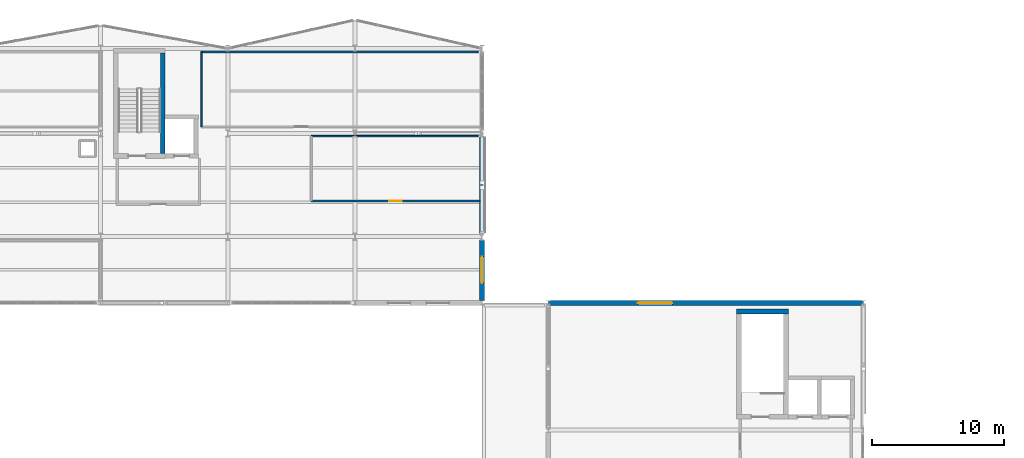
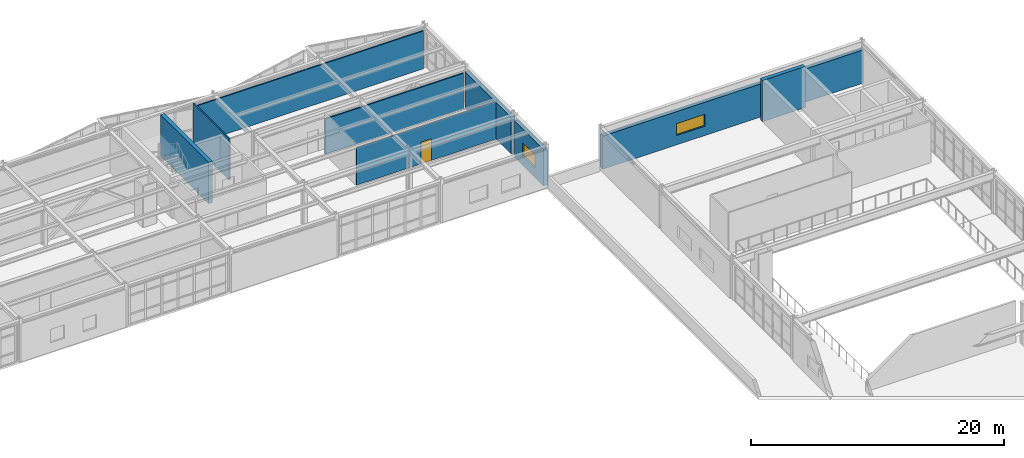
# One storey, part 67 of 76: 9 walls, 2 windows, 1 door, 3 openings.
"""IFC4 building model written with IfcOpenShell, lengths in metres."""

from ifc_helpers import new_model, si_unit, direction, frame, frame_2d, origin, place, context, subcontext, project, spatial, rectangle, extrude, material, layer, layer_set, type_object, element, fill, save


model = new_model("IFC4")

# Units and contexts
model_context = context("Model", 3, precision=1e-05, world=origin(), true_north=direction((0.0, 1.0)))
body_context = subcontext(model_context, "Body", "Model", "MODEL_VIEW")
ifc_project = project(units=[si_unit("LENGTHUNIT", "METRE"), si_unit("AREAUNIT", "SQUARE_METRE"), si_unit("VOLUMEUNIT", "CUBIC_METRE"), si_unit("PLANEANGLEUNIT", "RADIAN"), si_unit("MASSUNIT", "GRAM", prefix="KILO")], contexts=[model_context])

# Site, building, storey
site_placement = place(None, origin())
site = spatial("IfcSite", under=ifc_project, at=site_placement, CompositionType="ELEMENT")
building_placement = place(site_placement, origin())
building = spatial("IfcBuilding", under=site, at=building_placement, Name="Nordkorset Police Headquarters", CompositionType="ELEMENT")
storey_placement = place(building_placement, frame((0.0, 0.0, 13.64990234375)))
storey = spatial("IfcBuildingStorey", under=building, at=storey_placement, Name="L03", CompositionType="ELEMENT", Elevation=13.64990234375)

# Walls
ifc_material_1 = material(Name="Concrete C35/45", Category="concrete")
ifc_layer_1 = layer(ifc_material_1, 0.35009765625, Name="Concrete C35/45")
ifc_layer_set_1 = layer_set([ifc_layer_1], Name="Concrete C35/45")
wall_type_1 = type_object("IfcWallType", Name="Wall_CoreShear_350", PredefinedType="SHEAR", material=ifc_layer_set_1)
wall_1_placement = place(storey_placement, frame((62.300048828125, 108.875, 0.0), z_axis=(0.0, 0.0, 1.0), x_axis=(0.0, 1.0, 0.0)))
element("IfcWall", 1, at=wall_1_placement, inside=storey, type_object=wall_type_1, Name="Core K2 Stair Shaft East Shear Wall L03", PredefinedType="SHEAR", context=body_context, shape_type="SweptSolid", body=[
    extrude(rectangle(XDim=7.60009765625, YDim=0.35009765625, at=frame_2d((3.800048828125, 0.0))), origin(), (0.0, 0.0, 1.0), 3.97998046875),
])
wall_2_placement = place(storey_placement, frame((105.625, 96.949951171875, 0.0), z_axis=(0.0, 0.0, 1.0), x_axis=(1.0, 0.0, 0.0)))
element("IfcWall", 2, at=wall_2_placement, inside=storey, type_object=wall_type_1, Name="Core K5 Stair Shaft North Shear Wall L03", PredefinedType="SHEAR", context=body_context, shape_type="SweptSolid", body=[
    extrude(rectangle(XDim=3.89990234375, YDim=0.35009765625, at=frame_2d((1.949951171875, 0.0))), origin(), (0.0, 0.0, 1.0), 3.97998046875),
])

# Wall, opening, window
ifc_material_2 = material(Name="Precast concrete C40/50", Category="concrete")
ifc_layer_2 = layer(ifc_material_2, 0.360107421875, Name="Precast concrete C40/50")
ifc_layer_set_2 = layer_set([ifc_layer_2], Name="Precast concrete C40/50")
wall_type_2 = type_object("IfcWallType", Name="Wall_ExtPrecast_360", PredefinedType="SOLIDWALL", material=ifc_layer_set_2)
wall_3_placement = place(storey_placement, frame((86.39990234375, 97.77197265625, 0.0), z_axis=(0.0, 0.0, 1.0), x_axis=(0.0, 1.0, 0.0)))
wall_3 = element("IfcWall", 3, at=wall_3_placement, inside=storey, type_object=wall_type_2, Name="Exterior Insulated Precast Wall L03 V2E-0A", PredefinedType="SOLIDWALL", context=body_context, shape_type="SweptSolid", body=[
    extrude(rectangle(XDim=4.575927734375, YDim=0.360107421875, at=frame_2d((2.2880859375, 0.0))), origin(), (0.0, 0.0, 1.0), 3.52001953125),
])
opening_1_placement = place(wall_3_placement, frame((1.327880859375, 0.0, 0.89990234375)))
opening_1 = element("IfcOpeningElement", 4, at=opening_1_placement, cuts=wall_3, Name="Opening WN-38", PredefinedType="OPENING", context=body_context, shape_type="SweptSolid", body=[
    extrude(rectangle(XDim=2.0, YDim=1.300048828125, at=frame_2d((1.0, 0.64990234375))), frame((0.0, 0.18994140625, 0.0), z_axis=(0.0, -1.0, 0.0), x_axis=(1.0, 0.0, 0.0)), (0.0, 0.0, 1.0), 0.380126953125),
])
ifc_material_3 = material(Name="Low-iron triple glazing", Category="glass")
window_type_1 = type_object("IfcWindowType", Name="Win_2000x1300", PartitioningType="SINGLE_PANEL", PredefinedType="WINDOW", material=ifc_material_3)
window_1_placement = place(opening_1_placement, origin())
window_1 = element("IfcWindow", 5, at=window_1_placement, inside=storey, type_object=window_type_1, Name="Triple-Glazed Exterior Window L03 V2E-0A-1", OverallHeight=1.300048828125, OverallWidth=2.0, PartitioningType="SINGLE_PANEL", PredefinedType="WINDOW", context=body_context, shape_type="SweptSolid", body=[
    extrude(rectangle(XDim=2.0, YDim=1.300048828125, at=frame_2d((1.0, 0.64990234375))), frame((0.0, 0.030029296875, 0.0), z_axis=(0.0, -1.0, 0.0), x_axis=(1.0, 0.0, 0.0)), (0.0, 0.0, 1.0), 0.06005859375),
])
fill(opening_1, window_1)

# Wall
wall_4_placement = place(storey_placement, frame((86.39990234375, 102.85205078125, 0.0), z_axis=(0.0, 0.0, 1.0), x_axis=(0.0, 1.0, 0.0)))
element("IfcWall", 6, at=wall_4_placement, inside=storey, type_object=wall_type_2, Name="Exterior Insulated Precast Wall L03 V2E-0B", PredefinedType="SOLIDWALL", context=body_context, shape_type="SweptSolid", body=[
    extrude(rectangle(XDim=7.2958984375, YDim=0.360107421875, at=frame_2d((3.64794921875, 0.0))), origin(), (0.0, 0.0, 1.0), 3.52001953125),
])

# Wall, opening, window
wall_5_placement = place(storey_placement, frame((91.407958984375, 97.60009765625, 0.0), z_axis=(0.0, 0.0, 1.0), x_axis=(1.0, 0.0, 0.0)))
wall_5 = element("IfcWall", 7, at=wall_5_placement, inside=storey, type_object=wall_type_2, Name="Exterior Insulated Precast Wall L03 V5N-0", PredefinedType="SOLIDWALL", context=body_context, shape_type="SweptSolid", body=[
    extrude(rectangle(XDim=23.783935546875, YDim=0.360107421875, at=frame_2d((11.89208984375, 0.0))), origin(), (0.0, 0.0, 1.0), 3.205078125),
])
opening_2_placement = place(wall_5_placement, frame((6.7587890625, 0.0, 0.89990234375)))
opening_2 = element("IfcOpeningElement", 8, at=opening_2_placement, cuts=wall_5, Name="Opening WN-40", PredefinedType="OPENING", context=body_context, shape_type="SweptSolid", body=[
    extrude(rectangle(XDim=2.60009765625, YDim=1.14990234375, at=frame_2d((1.300048828125, 0.574951171875))), frame((0.0, 0.18994140625, 0.0), z_axis=(0.0, -1.0, 0.0), x_axis=(1.0, 0.0, 0.0)), (0.0, 0.0, 1.0), 0.380126953125),
])
ifc_material_4 = material(Name="Low-iron triple glazing", Category="glass")
window_type_2 = type_object("IfcWindowType", Name="Win_2600x1150", PartitioningType="SINGLE_PANEL", PredefinedType="WINDOW", material=ifc_material_4)
window_2_placement = place(opening_2_placement, origin())
window_2 = element("IfcWindow", 9, at=window_2_placement, inside=storey, type_object=window_type_2, Name="Triple-Glazed Exterior Window L03 V5N-0-1", OverallHeight=1.14990234375, OverallWidth=2.60009765625, PartitioningType="SINGLE_PANEL", PredefinedType="WINDOW", context=body_context, shape_type="SweptSolid", body=[
    extrude(rectangle(XDim=2.60009765625, YDim=1.14990234375, at=frame_2d((1.300048828125, 0.574951171875))), frame((0.0, 0.030029296875, 0.0), z_axis=(0.0, -1.0, 0.0), x_axis=(1.0, 0.0, 0.0)), (0.0, 0.0, 1.0), 0.06005859375),
])
fill(opening_2, window_2)

# Walls
ifc_material_5 = material(Name="Gypsum board", Category="gypsum")
ifc_layer_3 = layer(ifc_material_5, 0.1201171875, Name="Gypsum board")
ifc_layer_set_3 = layer_set([ifc_layer_3], Name="Gypsum board")
wall_type_3 = type_object("IfcWallType", Name="Wall_Part_120", PredefinedType="PARTITIONING", material=ifc_layer_set_3)
wall_6_placement = place(storey_placement, frame((86.10009765625, 116.550048828125, 0.0), z_axis=(0.0, 0.0, 1.0), x_axis=(-1.0, 0.0, 0.0)))
element("IfcWall", 10, at=wall_6_placement, inside=storey, type_object=wall_type_3, Name="Interior Partition Wall Forensic Accounting Workroom", PredefinedType="PARTITIONING", context=body_context, shape_type="SweptSolid", body=[
    extrude(rectangle(XDim=20.900146484375, YDim=0.1201171875, at=frame_2d((10.4501953125, 0.0))), origin(), (0.0, 0.0, 1.0), 3.650146484375),
])
wall_7_placement = place(storey_placement, frame((65.199951171875, 116.550048828125, 0.0), z_axis=(0.0, 0.0, 1.0), x_axis=(0.0, -1.0, 0.0)))
element("IfcWall", 11, at=wall_7_placement, inside=storey, type_object=wall_type_3, Name="Interior Partition Wall Forensic Accounting Workroom", PredefinedType="PARTITIONING", context=body_context, shape_type="SweptSolid", body=[
    extrude(rectangle(XDim=5.650146484375, YDim=0.1201171875, at=frame_2d((2.8251953125, 0.0))), origin(), (0.0, 0.0, 1.0), 3.97998046875),
])

# Wall, opening, door
wall_8_placement = place(storey_placement, frame((73.5, 105.300048828125, 0.0), z_axis=(0.0, 0.0, 1.0), x_axis=(1.0, 0.0, 0.0)))
wall_8 = element("IfcWall", 12, at=wall_8_placement, inside=storey, type_object=wall_type_3, Name="Interior Partition Wall Investigator Briefing Room", PredefinedType="PARTITIONING", context=body_context, shape_type="SweptSolid", body=[
    extrude(rectangle(XDim=12.72509765625, YDim=0.1201171875, at=frame_2d((6.362548828125, 0.0))), origin(), (0.0, 0.0, 1.0), 3.60009765625),
])
opening_3_placement = place(wall_8_placement, frame((5.87255859375, 0.0, 0.0)))
opening_3 = element("IfcOpeningElement", 13, at=opening_3_placement, cuts=wall_8, Name="Opening DR-18", PredefinedType="OPENING", context=body_context, shape_type="SweptSolid", body=[
    extrude(rectangle(XDim=0.97998046875, YDim=2.10009765625, at=frame_2d((0.489990234375, 1.050048828125))), frame((0.0, 0.070068359375, 0.0), z_axis=(0.0, -1.0, 0.0), x_axis=(1.0, 0.0, 0.0)), (0.0, 0.0, 1.0), 0.14013671875),
])
ifc_material_6 = material(Name="Glulam GL30c", Category="wood")
door_type = type_object("IfcDoorType", Name="Door_Office_980x2100", OperationType="NOTDEFINED", PredefinedType="DOOR", material=ifc_material_6)
door_placement = place(opening_3_placement, frame((0.97998046875, 0.0, 0.0), z_axis=(0.0, 0.0, 1.0), x_axis=(-1.0, 0.0, 0.0)))
door = element("IfcDoor", 14, at=door_placement, inside=storey, type_object=door_type, Name="Interior Door Investigator Briefing Room", OperationType="SINGLE_SWING_LEFT", OverallHeight=2.10009765625, OverallWidth=0.97998046875, PredefinedType="DOOR", context=body_context, shape_type="SweptSolid", body=[
    extrude(rectangle(XDim=0.97998046875, YDim=2.10009765625, at=frame_2d((0.489990234375, 1.050048828125))), frame((0.0, 0.02490234375, 0.0), z_axis=(0.0, -1.0, 0.0), x_axis=(1.0, 0.0, 0.0)), (0.0, 0.0, 1.0), 0.050048828125),
])
fill(opening_3, door)

# Wall
wall_9_placement = place(storey_placement, frame((86.10009765625, 110.199951171875, 0.0), z_axis=(0.0, 0.0, 1.0), x_axis=(-1.0, 0.0, 0.0)))
element("IfcWall", 15, at=wall_9_placement, inside=storey, type_object=wall_type_3, Name="Interior Partition Wall Investigator Briefing Room", PredefinedType="PARTITIONING", context=body_context, shape_type="SweptSolid", body=[
    extrude(rectangle(XDim=12.60009765625, YDim=0.1201171875, at=frame_2d((6.300048828125, 0.0))), origin(), (0.0, 0.0, 1.0), 3.420166015625),
])

save(model, "model.ifc")
